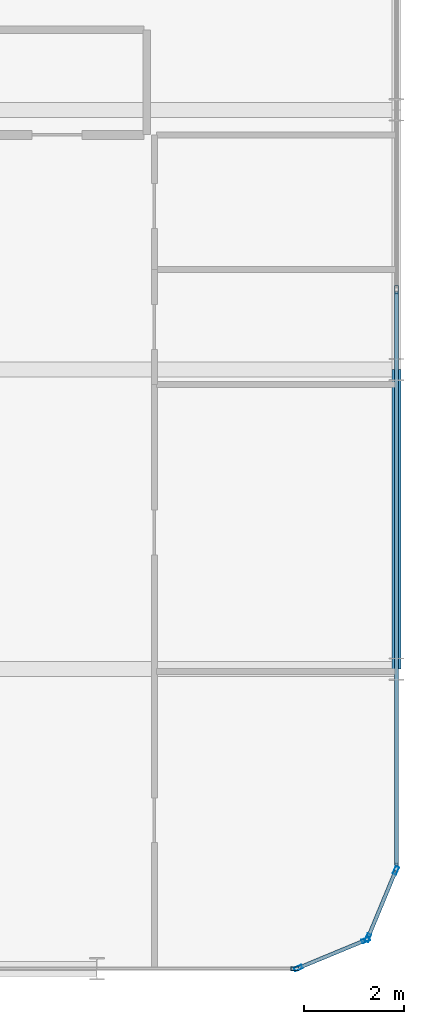
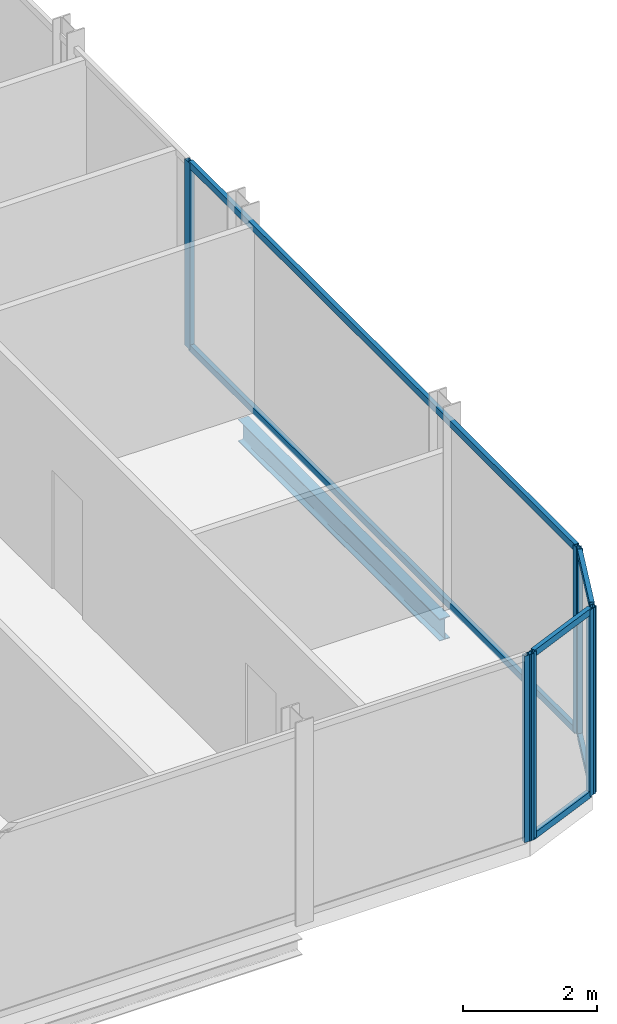
# One storey, part 12 of 29: 13 members, 1 beam, 4 elements without a shape of their own.
"""IFC4 building model written with IfcOpenShell, lengths in metres."""

from ifc_helpers import new_model, si_unit, direction, frame, origin, origin_2d, place, context, subcontext, project, spatial, hollow_rectangle, i_section, extrude, material, layer, layer_set, material_profile, profile_set, type_object, element, aggregate, save


model = new_model("IFC4")

# Units and contexts
model_context = context("Model", 3, precision=1e-05, world=origin(), true_north=direction((0.0, 1.0)))
body_context = subcontext(model_context, "Body", "Model", "MODEL_VIEW")
ifc_project = project(units=[si_unit("LENGTHUNIT", "METRE"), si_unit("AREAUNIT", "SQUARE_METRE"), si_unit("VOLUMEUNIT", "CUBIC_METRE"), si_unit("PLANEANGLEUNIT", "RADIAN"), si_unit("MASSUNIT", "GRAM", prefix="KILO")], contexts=[model_context])

# Site, building, storey
site_placement = place(None, origin())
site = spatial("IfcSite", under=ifc_project, at=site_placement, CompositionType="ELEMENT")
building_placement = place(site_placement, origin())
building = spatial("IfcBuilding", under=site, at=building_placement, Name="Keshet Zoharim Tower", CompositionType="ELEMENT")
storey_placement = place(building_placement, frame((0.0, 0.0, 222.800048828125)))
storey = spatial("IfcBuildingStorey", under=building, at=storey_placement, Name="L55", CompositionType="ELEMENT", Elevation=222.800048828125)

# Beam
ifc_material_1 = material(Name="Steel S355", Category="steel")
ifc_material_profile_1 = material_profile(ifc_material_1, i_section(OverallWidth=0.179931640625, OverallDepth=0.39990234375, WebThickness=0.008544921875, FlangeThickness=0.013427734375, FilletRadius=0.02099609375, at=origin_2d()), Name="IPE400")
ifc_profile_set_1 = profile_set([ifc_material_profile_1], Name="Steel S355")
beam_type = type_object("IfcBeamType", Name="BM-PRI-IP400", PredefinedType="BEAM", material=ifc_profile_set_1)
beam_placement = place(storey_placement, frame((57.0, 6.699951171875, -0.510009765625), z_axis=(0.0, 1.0, 0.0), x_axis=(-1.0, 0.0, 0.0)))
element("IfcBeam", 1, at=beam_placement, inside=storey, type_object=beam_type, Name="L55 Primary Girder Y-013", PredefinedType="BEAM", context=body_context, shape_type="SweptSolid", body=[
    extrude(i_section(OverallWidth=0.179931640625, OverallDepth=0.39990234375, WebThickness=0.008544921875, FlangeThickness=0.013427734375, FilletRadius=0.02099609375, at=origin_2d()), origin(), (0.0, 0.0, 1.0), 6.0),
])

# Curtain wall, members
ifc_material_2 = material(Name="Aluminium 6063-T6", Category="aluminium")
ifc_layer = layer(ifc_material_2, 0.139892578125)
ifc_layer_set = layer_set([ifc_layer], Name="Aluminium 6063-T6")
curtain_wall_type = type_object("IfcCurtainWallType", Name="CW-SYS-05", PredefinedType="NOTDEFINED", material=ifc_layer_set)
curtain_wall_1_placement = place(storey_placement, origin())
curtain_wall_1 = element("IfcCurtainWall", 2, at=curtain_wall_1_placement, inside=storey, type_object=curtain_wall_type, Name="L55 Unitised Curtain Wall 03", PredefinedType="NOTDEFINED")
ifc_material_profile_2 = material_profile(ifc_material_2, hollow_rectangle(XDim=0.074951171875, YDim=0.159912109375, WallThickness=0.00390625, at=origin_2d()), Name="MUL-75x160")
ifc_profile_set_2 = profile_set([ifc_material_profile_2], Name="Aluminium 6063-T6")
member_type_1 = type_object("IfcMemberType", Name="CWM-M15", PredefinedType="MULLION", material=ifc_profile_set_2)
member_1_placement = place(storey_placement, frame((57.0, 14.300048828125, 0.0), z_axis=(0.0, 0.0, 1.0), x_axis=(1.0, 0.0, 0.0)))
member_1 = element("IfcMember", 3, at=member_1_placement, type_object=member_type_1, Name="CW-05 mullion 2", PredefinedType="MULLION", context=body_context, shape_type="SweptSolid", body=[
    extrude(hollow_rectangle(XDim=0.074951171875, YDim=0.159912109375, WallThickness=0.00390625, at=origin_2d()), origin(), (0.0, 0.0, 1.0), 3.389892578125),
])
member_2_placement = place(storey_placement, frame((57.0, 2.735107421875, 0.0), z_axis=(0.0, 0.0, 1.0), x_axis=(1.0, 0.0, 0.0)))
member_2 = element("IfcMember", 4, at=member_2_placement, type_object=member_type_1, Name="CW-05 mullion 3", PredefinedType="MULLION", context=body_context, shape_type="SweptSolid", body=[
    extrude(hollow_rectangle(XDim=0.074951171875, YDim=0.159912109375, WallThickness=0.00390625, at=origin_2d()), origin(), (0.0, 0.0, 1.0), 3.389892578125),
])

curtain_wall_2_placement = place(storey_placement, origin())
curtain_wall_2 = element("IfcCurtainWall", 5, at=curtain_wall_2_placement, inside=storey, type_object=curtain_wall_type, Name="L55 Unitised Curtain Wall 04", PredefinedType="NOTDEFINED")
member_3_placement = place(storey_placement, frame((56.986572265625, 2.667724609375, 0.0), z_axis=(0.0, 0.0, 1.0), x_axis=(0.92380975372, -0.382851849847, 0.0)))
member_3 = element("IfcMember", 6, at=member_3_placement, type_object=member_type_1, Name="CW-05 mullion 1", PredefinedType="MULLION", context=body_context, shape_type="SweptSolid", body=[
    extrude(hollow_rectangle(XDim=0.074951171875, YDim=0.159912109375, WallThickness=0.00390625, at=origin_2d()), origin(), (0.0, 0.0, 1.0), 3.389892578125),
])
member_4_placement = place(storey_placement, frame((56.427490234375, 1.318359375, 0.0), z_axis=(0.0, 0.0, 1.0), x_axis=(0.92380975372, -0.382851849847, 0.0)))
member_4 = element("IfcMember", 7, at=member_4_placement, type_object=member_type_1, Name="CW-05 mullion 2", PredefinedType="MULLION", context=body_context, shape_type="SweptSolid", body=[
    extrude(hollow_rectangle(XDim=0.074951171875, YDim=0.159912109375, WallThickness=0.00390625, at=origin_2d()), origin(), (0.0, 0.0, 1.0), 3.389892578125),
])

curtain_wall_3_placement = place(storey_placement, origin())
curtain_wall_3 = element("IfcCurtainWall", 8, at=curtain_wall_3_placement, inside=storey, type_object=curtain_wall_type, Name="L55 Unitised Curtain Wall 05", PredefinedType="NOTDEFINED")
member_5_placement = place(storey_placement, frame((56.381591796875, 1.272705078125, 0.0), z_axis=(0.0, 0.0, 1.0), x_axis=(0.382851849847, -0.92380975372, 0.0)))
member_5 = element("IfcMember", 9, at=member_5_placement, type_object=member_type_1, Name="CW-05 mullion 1", PredefinedType="MULLION", context=body_context, shape_type="SweptSolid", body=[
    extrude(hollow_rectangle(XDim=0.074951171875, YDim=0.159912109375, WallThickness=0.00390625, at=origin_2d()), origin(), (0.0, 0.0, 1.0), 3.389892578125),
])
member_6_placement = place(storey_placement, frame((55.0322265625, 0.71337890625, 0.0), z_axis=(0.0, 0.0, 1.0), x_axis=(0.382851849847, -0.92380975372, 0.0)))
member_6 = element("IfcMember", 10, at=member_6_placement, type_object=member_type_1, Name="CW-05 mullion 2", PredefinedType="MULLION", context=body_context, shape_type="SweptSolid", body=[
    extrude(hollow_rectangle(XDim=0.074951171875, YDim=0.159912109375, WallThickness=0.00390625, at=origin_2d()), origin(), (0.0, 0.0, 1.0), 3.389892578125),
])

# Curtain wall, member
curtain_wall_4_placement = place(storey_placement, origin())
curtain_wall_4 = element("IfcCurtainWall", 11, at=curtain_wall_4_placement, inside=storey, type_object=curtain_wall_type, Name="L55 Unitised Curtain Wall 06", PredefinedType="NOTDEFINED")
member_7_placement = place(storey_placement, frame((54.965087890625, 0.699951171875, 0.0), z_axis=(0.0, 0.0, 1.0), x_axis=(0.0, -1.0, 0.0)))
member_7 = element("IfcMember", 12, at=member_7_placement, type_object=member_type_1, Name="CW-05 mullion 1", PredefinedType="MULLION", context=body_context, shape_type="SweptSolid", body=[
    extrude(hollow_rectangle(XDim=0.074951171875, YDim=0.159912109375, WallThickness=0.00390625, at=origin_2d()), origin(), (0.0, 0.0, 1.0), 3.389892578125),
])
aggregate(curtain_wall_4, [member_7])

# Member
ifc_material_profile_3 = material_profile(ifc_material_2, hollow_rectangle(XDim=0.074951171875, YDim=0.1201171875, WallThickness=0.00390625, at=origin_2d()), Name="TRN-75x120")
ifc_profile_set_3 = profile_set([ifc_material_profile_3], Name="Aluminium 6063-T6")
member_type_2 = type_object("IfcMemberType", Name="CWT-T12", PredefinedType="USERDEFINED", material=ifc_profile_set_3)
member_8_placement = place(storey_placement, frame((57.0, 14.264892578125, 0.034912109375), z_axis=(0.0, -1.0, 0.0), x_axis=(1.0, 0.0, 0.0)))
member_8 = element("IfcMember", 13, at=member_8_placement, type_object=member_type_2, Name="CW-05 transom 2.1", ObjectType="TRANSOM", PredefinedType="USERDEFINED", context=body_context, shape_type="SweptSolid", body=[
    extrude(hollow_rectangle(XDim=0.074951171875, YDim=0.1201171875, WallThickness=0.00390625, at=origin_2d()), origin(), (0.0, 0.0, 1.0), 11.494873046875),
])

member_9_placement = place(storey_placement, frame((57.0, 14.264892578125, 3.35498046875), z_axis=(0.0, -1.0, 0.0), x_axis=(1.0, 0.0, 0.0)))
member_9 = element("IfcMember", 14, at=member_9_placement, type_object=member_type_2, Name="CW-05 transom 2.2", ObjectType="TRANSOM", PredefinedType="USERDEFINED", context=body_context, shape_type="SweptSolid", body=[
    extrude(hollow_rectangle(XDim=0.074951171875, YDim=0.1201171875, WallThickness=0.00390625, at=origin_2d()), origin(), (0.0, 0.0, 1.0), 11.494873046875),
])

aggregate(curtain_wall_1, [member_1, member_2, member_8, member_9])

member_10_placement = place(storey_placement, frame((56.97314453125, 2.63525390625, 0.034912109375), z_axis=(-0.382744609247, -0.923854189844, 0.0), x_axis=(0.923854189844, -0.382744609247, 0.0)))
member_10 = element("IfcMember", 15, at=member_10_placement, type_object=member_type_2, Name="CW-05 transom 1.1", ObjectType="TRANSOM", PredefinedType="USERDEFINED", context=body_context, shape_type="SweptSolid", body=[
    extrude(hollow_rectangle(XDim=0.074951171875, YDim=0.1201171875, WallThickness=0.00390625, at=origin_2d()), origin(), (0.0, 0.0, 1.0), 1.390625),
])

member_11_placement = place(storey_placement, frame((56.97314453125, 2.63525390625, 3.35498046875), z_axis=(-0.382744609247, -0.923854189844, 0.0), x_axis=(0.923854189844, -0.382744609247, 0.0)))
member_11 = element("IfcMember", 16, at=member_11_placement, type_object=member_type_2, Name="CW-05 transom 1.2", ObjectType="TRANSOM", PredefinedType="USERDEFINED", context=body_context, shape_type="SweptSolid", body=[
    extrude(hollow_rectangle(XDim=0.074951171875, YDim=0.1201171875, WallThickness=0.00390625, at=origin_2d()), origin(), (0.0, 0.0, 1.0), 1.390625),
])

aggregate(curtain_wall_2, [member_3, member_4, member_10, member_11])

member_12_placement = place(storey_placement, frame((56.349365234375, 1.25927734375, 0.034912109375), z_axis=(-0.92379209995, -0.382894445076, 0.0), x_axis=(0.382894445076, -0.92379209995, 0.0)))
member_12 = element("IfcMember", 17, at=member_12_placement, type_object=member_type_2, Name="CW-05 transom 1.1", ObjectType="TRANSOM", PredefinedType="USERDEFINED", context=body_context, shape_type="SweptSolid", body=[
    extrude(hollow_rectangle(XDim=0.074951171875, YDim=0.1201171875, WallThickness=0.00390625, at=origin_2d()), origin(), (0.0, 0.0, 1.0), 1.390625),
])

member_13_placement = place(storey_placement, frame((56.349365234375, 1.25927734375, 3.35498046875), z_axis=(-0.92379209995, -0.382894445076, 0.0), x_axis=(0.382894445076, -0.92379209995, 0.0)))
member_13 = element("IfcMember", 18, at=member_13_placement, type_object=member_type_2, Name="CW-05 transom 1.2", ObjectType="TRANSOM", PredefinedType="USERDEFINED", context=body_context, shape_type="SweptSolid", body=[
    extrude(hollow_rectangle(XDim=0.074951171875, YDim=0.1201171875, WallThickness=0.00390625, at=origin_2d()), origin(), (0.0, 0.0, 1.0), 1.390625),
])

aggregate(curtain_wall_3, [member_5, member_6, member_12, member_13])

save(model, "model.ifc")
